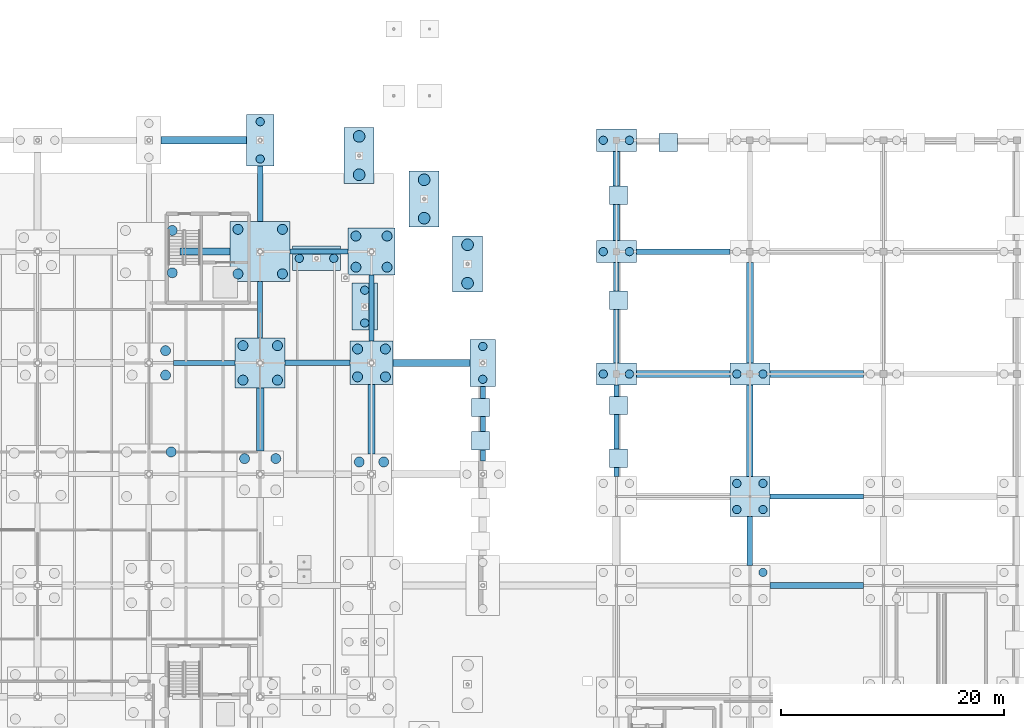
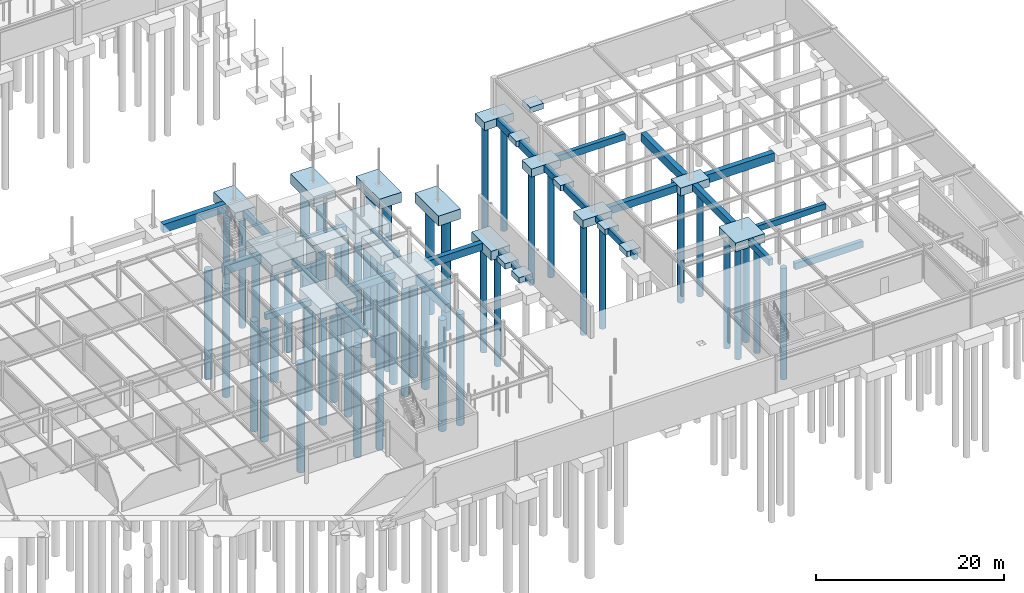
# One storey, part 9 of 75: 52 piles, 46 footings.
"""IFC4 building model written with IfcOpenShell, lengths in metres."""

from ifc_helpers import new_model, si_unit, derived_unit, direction, frame, origin, origin_2d_with_axis, place, context, subcontext, project, spatial, rectangle, circle, extrude, material, layer, layer_set, material_profile, profile_set, type_object, element, save


model = new_model("IFC4")

# Units and contexts
model_context = context("Model", 3, precision=1e-05, world=origin(), true_north=direction((0.0, 1.0)))
body_context = subcontext(model_context, "Body", "Model", "MODEL_VIEW")
ifc_project = project(units=[si_unit("LENGTHUNIT", "METRE"), si_unit("AREAUNIT", "SQUARE_METRE"), si_unit("VOLUMEUNIT", "CUBIC_METRE"), si_unit("PLANEANGLEUNIT", "RADIAN"), si_unit("MASSUNIT", "GRAM", prefix="KILO"), derived_unit("THERMALTRANSMITTANCEUNIT", [(si_unit("POWERUNIT", "WATT"), 1), (si_unit("LENGTHUNIT", "METRE"), -2), (si_unit("THERMODYNAMICTEMPERATUREUNIT", "KELVIN"), -1)])], contexts=[model_context])

# Site, building, storey
site_placement = place(None, origin())
site = spatial("IfcSite", under=ifc_project, at=site_placement, CompositionType="ELEMENT")
building_placement = place(site_placement, origin())
building = spatial("IfcBuilding", under=site, at=building_placement, Name="Cinnabar Yard Market Hall", CompositionType="ELEMENT")
storey_placement = place(building_placement, frame((0.0, 0.0, -4.5)))
storey = spatial("IfcBuildingStorey", under=building, at=storey_placement, Name="B1", CompositionType="ELEMENT", Elevation=-4.5)

# Footings
ifc_material = material(Name="Concrete 40 MPa", Category="concrete")
ifc_material_profile_1 = material_profile(ifc_material, rectangle(XDim=0.449951171875, YDim=0.75, at=origin_2d_with_axis()), Name="GB-450x750")
ifc_profile_set_1 = profile_set([ifc_material_profile_1], Name="Concrete 40 MPa")
footing_type_1 = type_object("IfcFootingType", Name="FT-GB01", PredefinedType="FOOTING_BEAM", material=ifc_profile_set_1)
footing_1_placement = place(storey_placement, frame((191.800048828125, 42.0, -0.824951171875), z_axis=(1.0, 0.0, 0.0), x_axis=(0.0, 1.0, 0.0)))
element("IfcFooting", 1, at=footing_1_placement, inside=storey, type_object=footing_type_1, Name="Ground Beam X 0036", PredefinedType="FOOTING_BEAM", context=body_context, shape_type="SweptSolid", body=[
    extrude(rectangle(XDim=0.449951171875, YDim=0.75, at=origin_2d_with_axis()), origin(), (0.0, 0.0, 1.0), 8.39990234375),
])
footing_2_placement = place(storey_placement, frame((138.199951171875, 54.0, -0.824951171875), z_axis=(1.0, 0.0, 0.0), x_axis=(0.0, 1.0, 0.0)))
element("IfcFooting", 2, at=footing_2_placement, inside=storey, type_object=footing_type_1, Name="Ground Beam X 0064", PredefinedType="FOOTING_BEAM", context=body_context, shape_type="SweptSolid", body=[
    extrude(rectangle(XDim=0.449951171875, YDim=0.75, at=origin_2d_with_axis()), origin(), (0.0, 0.0, 1.0), 5.550048828125),
])
footing_3_placement = place(storey_placement, frame((148.699951171875, 64.0, -0.824951171875), z_axis=(1.0, 0.0, 0.0), x_axis=(0.0, 1.0, 0.0)))
element("IfcFooting", 3, at=footing_3_placement, inside=storey, type_object=footing_type_1, Name="Ground Beam X 0080", PredefinedType="FOOTING_BEAM", context=body_context, shape_type="SweptSolid", body=[
    extrude(rectangle(XDim=0.449951171875, YDim=0.75, at=origin_2d_with_axis()), origin(), (0.0, 0.0, 1.0), 5.199951171875),
])
footing_4_placement = place(storey_placement, frame((146.0, 56.25, -0.824951171875), z_axis=(0.0, 1.0, 0.0), x_axis=(-1.0, 0.0, 0.0)))
element("IfcFooting", 4, at=footing_4_placement, inside=storey, type_object=footing_type_1, Name="Ground Beam Y 0248", PredefinedType="FOOTING_BEAM", context=body_context, shape_type="SweptSolid", body=[
    extrude(rectangle(XDim=0.449951171875, YDim=0.75, at=origin_2d_with_axis()), origin(), (0.0, 0.0, 1.0), 5.050048828125),
])
footing_5_placement = place(storey_placement, frame((156.0, 55.949951171875, -0.824951171875), z_axis=(0.0, 1.0, 0.0), x_axis=(-1.0, 0.0, 0.0)))
element("IfcFooting", 5, at=footing_5_placement, inside=storey, type_object=footing_type_1, Name="Ground Beam Y 0256", PredefinedType="FOOTING_BEAM", context=body_context, shape_type="SweptSolid", body=[
    extrude(rectangle(XDim=0.449951171875, YDim=0.75, at=origin_2d_with_axis()), origin(), (0.0, 0.0, 1.0), 5.949951171875),
])
footing_6_placement = place(storey_placement, frame((166.0, 45.199951171875, -0.824951171875), z_axis=(0.0, 1.0, 0.0), x_axis=(-1.0, 0.0, 0.0)))
element("IfcFooting", 6, at=footing_6_placement, inside=storey, type_object=footing_type_1, Name="Ground Beam Y 0264", PredefinedType="FOOTING_BEAM", context=body_context, shape_type="SweptSolid", body=[
    extrude(rectangle(XDim=0.449951171875, YDim=0.75, at=origin_2d_with_axis()), origin(), (0.0, 0.0, 1.0), 6.699951171875),
])
footing_7_placement = place(storey_placement, frame((178.0, 43.800048828125, -0.824951171875), z_axis=(0.0, 1.0, 0.0), x_axis=(-1.0, 0.0, 0.0)))
element("IfcFooting", 7, at=footing_7_placement, inside=storey, type_object=footing_type_1, Name="Ground Beam Y 0268", PredefinedType="FOOTING_BEAM", context=body_context, shape_type="SweptSolid", body=[
    extrude(rectangle(XDim=0.449951171875, YDim=0.75, at=origin_2d_with_axis()), origin(), (0.0, 0.0, 1.0), 8.199951171875),
])
ifc_material_profile_2 = material_profile(ifc_material, rectangle(XDim=0.5, YDim=0.85009765625, at=origin_2d_with_axis()), Name="GB-500x850")
ifc_profile_set_2 = profile_set([ifc_material_profile_2], Name="Concrete 40 MPa")
footing_type_2 = type_object("IfcFootingType", Name="FT-GB02", PredefinedType="FOOTING_BEAM", material=ifc_profile_set_2)
footing_8_placement = place(storey_placement, frame((191.800048828125, 34.0, -0.875), z_axis=(1.0, 0.0, 0.0), x_axis=(0.0, 1.0, 0.0)))
element("IfcFooting", 8, at=footing_8_placement, inside=storey, type_object=footing_type_2, Name="Ground Beam X 0033", PredefinedType="FOOTING_BEAM", context=body_context, shape_type="SweptSolid", body=[
    extrude(rectangle(XDim=0.5, YDim=0.85009765625, at=origin_2d_with_axis()), origin(), (0.0, 0.0, 1.0), 8.39990234375),
])
footing_9_placement = place(storey_placement, frame((148.25, 54.0, -0.875), z_axis=(1.0, 0.0, 0.0), x_axis=(0.0, 1.0, 0.0)))
element("IfcFooting", 9, at=footing_9_placement, inside=storey, type_object=footing_type_2, Name="Ground Beam X 0065", PredefinedType="FOOTING_BEAM", context=body_context, shape_type="SweptSolid", body=[
    extrude(rectangle(XDim=0.5, YDim=0.85009765625, at=origin_2d_with_axis()), origin(), (0.0, 0.0, 1.0), 5.800048828125),
])
footing_10_placement = place(storey_placement, frame((179.800048828125, 64.0, -0.875), z_axis=(1.0, 0.0, 0.0), x_axis=(0.0, 1.0, 0.0)))
element("IfcFooting", 10, at=footing_10_placement, inside=storey, type_object=footing_type_2, Name="Ground Beam X 0081", PredefinedType="FOOTING_BEAM", context=body_context, shape_type="SweptSolid", body=[
    extrude(rectangle(XDim=0.5, YDim=0.85009765625, at=origin_2d_with_axis()), origin(), (0.0, 0.0, 1.0), 8.39990234375),
])
footing_11_placement = place(storey_placement, frame((146.0, 66.699951171875, -0.875), z_axis=(0.0, 1.0, 0.0), x_axis=(-1.0, 0.0, 0.0)))
element("IfcFooting", 11, at=footing_11_placement, inside=storey, type_object=footing_type_2, Name="Ground Beam Y 0249", PredefinedType="FOOTING_BEAM", context=body_context, shape_type="SweptSolid", body=[
    extrude(rectangle(XDim=0.5, YDim=0.85009765625, at=origin_2d_with_axis()), origin(), (0.0, 0.0, 1.0), 5.0),
])
footing_12_placement = place(storey_placement, frame((178.0, 54.0, -0.875), z_axis=(0.0, 1.0, 0.0), x_axis=(-1.0, 0.0, 0.0)))
element("IfcFooting", 12, at=footing_12_placement, inside=storey, type_object=footing_type_2, Name="Ground Beam Y 0269", PredefinedType="FOOTING_BEAM", context=body_context, shape_type="SweptSolid", body=[
    extrude(rectangle(XDim=0.5, YDim=0.85009765625, at=origin_2d_with_axis()), origin(), (0.0, 0.0, 1.0), 9.0),
])
footing_13_placement = place(storey_placement, frame((190.0, 35.800048828125, -0.875), z_axis=(0.0, 1.0, 0.0), x_axis=(-1.0, 0.0, 0.0)))
element("IfcFooting", 13, at=footing_13_placement, inside=storey, type_object=footing_type_2, Name="Ground Beam Y 0273", PredefinedType="FOOTING_BEAM", context=body_context, shape_type="SweptSolid", body=[
    extrude(rectangle(XDim=0.5, YDim=0.85009765625, at=origin_2d_with_axis()), origin(), (0.0, 0.0, 1.0), 4.39990234375),
])
ifc_material_profile_3 = material_profile(ifc_material, rectangle(XDim=0.60009765625, YDim=0.949951171875, at=origin_2d_with_axis()), Name="GB-600x950")
ifc_profile_set_3 = profile_set([ifc_material_profile_3], Name="Concrete 40 MPa")
footing_type_3 = type_object("IfcFootingType", Name="FT-GB03", PredefinedType="FOOTING_BEAM", material=ifc_profile_set_3)
footing_14_placement = place(storey_placement, frame((179.800048828125, 53.0, -0.925048828125), z_axis=(1.0, 0.0, 0.0), x_axis=(0.0, 1.0, 0.0)))
element("IfcFooting", 14, at=footing_14_placement, inside=storey, type_object=footing_type_3, Name="Ground Beam X 0054", PredefinedType="FOOTING_BEAM", context=body_context, shape_type="SweptSolid", body=[
    extrude(rectangle(XDim=0.60009765625, YDim=0.949951171875, at=origin_2d_with_axis()), origin(), (0.0, 0.0, 1.0), 8.39990234375),
])
footing_15_placement = place(storey_placement, frame((157.949951171875, 54.0, -0.925048828125), z_axis=(1.0, 0.0, 0.0), x_axis=(0.0, 1.0, 0.0)))
element("IfcFooting", 15, at=footing_15_placement, inside=storey, type_object=footing_type_3, Name="Ground Beam X 0066", PredefinedType="FOOTING_BEAM", context=body_context, shape_type="SweptSolid", body=[
    extrude(rectangle(XDim=0.60009765625, YDim=0.949951171875, at=origin_2d_with_axis()), origin(), (0.0, 0.0, 1.0), 6.900146484375),
])
footing_16_placement = place(storey_placement, frame((178.0, 65.0, -0.925048828125), z_axis=(0.0, 1.0, 0.0), x_axis=(-1.0, 0.0, 0.0)))
element("IfcFooting", 16, at=footing_16_placement, inside=storey, type_object=footing_type_3, Name="Ground Beam Y 0270", PredefinedType="FOOTING_BEAM", context=body_context, shape_type="SweptSolid", body=[
    extrude(rectangle(XDim=0.60009765625, YDim=0.949951171875, at=origin_2d_with_axis()), origin(), (0.0, 0.0, 1.0), 8.0),
])
footing_17_placement = place(storey_placement, frame((190.0, 43.800048828125, -0.925048828125), z_axis=(0.0, 1.0, 0.0), x_axis=(-1.0, 0.0, 0.0)))
element("IfcFooting", 17, at=footing_17_placement, inside=storey, type_object=footing_type_3, Name="Ground Beam Y 0274", PredefinedType="FOOTING_BEAM", context=body_context, shape_type="SweptSolid", body=[
    extrude(rectangle(XDim=0.60009765625, YDim=0.949951171875, at=origin_2d_with_axis()), origin(), (0.0, 0.0, 1.0), 8.199951171875),
])
ifc_material_profile_4 = material_profile(ifc_material, rectangle(XDim=0.64990234375, YDim=1.10009765625, at=origin_2d_with_axis()), Name="GB-650x1100")
ifc_profile_set_4 = profile_set([ifc_material_profile_4], Name="Concrete 40 MPa")
footing_type_4 = type_object("IfcFootingType", Name="FT-GB04", PredefinedType="FOOTING_BEAM", material=ifc_profile_set_4)
footing_18_placement = place(storey_placement, frame((191.800048828125, 53.0, -1.0), z_axis=(1.0, 0.0, 0.0), x_axis=(0.0, 1.0, 0.0)))
element("IfcFooting", 18, at=footing_18_placement, inside=storey, type_object=footing_type_4, Name="Ground Beam X 0055", PredefinedType="FOOTING_BEAM", context=body_context, shape_type="SweptSolid", body=[
    extrude(rectangle(XDim=0.64990234375, YDim=1.10009765625, at=origin_2d_with_axis()), origin(), (0.0, 0.0, 1.0), 8.39990234375),
])
footing_19_placement = place(storey_placement, frame((138.800048828125, 64.0, -1.0), z_axis=(1.0, 0.0, 0.0), x_axis=(0.0, 1.0, 0.0)))
element("IfcFooting", 19, at=footing_19_placement, inside=storey, type_object=footing_type_4, Name="Ground Beam X 0079", PredefinedType="FOOTING_BEAM", context=body_context, shape_type="SweptSolid", body=[
    extrude(rectangle(XDim=0.64990234375, YDim=1.10009765625, at=origin_2d_with_axis()), origin(), (0.0, 0.0, 1.0), 4.5),
])
footing_20_placement = place(storey_placement, frame((137.10009765625, 74.0, -1.0), z_axis=(1.0, 0.0, 0.0), x_axis=(0.0, 1.0, 0.0)))
element("IfcFooting", 20, at=footing_20_placement, inside=storey, type_object=footing_type_4, Name="Ground Beam X 0095", PredefinedType="FOOTING_BEAM", context=body_context, shape_type="SweptSolid", body=[
    extrude(rectangle(XDim=0.64990234375, YDim=1.10009765625, at=origin_2d_with_axis()), origin(), (0.0, 0.0, 1.0), 7.64990234375),
])
footing_21_placement = place(storey_placement, frame((146.0, 46.10009765625, -1.0), z_axis=(0.0, 1.0, 0.0), x_axis=(-1.0, 0.0, 0.0)))
element("IfcFooting", 21, at=footing_21_placement, inside=storey, type_object=footing_type_4, Name="Ground Beam Y 0247", PredefinedType="FOOTING_BEAM", context=body_context, shape_type="SweptSolid", body=[
    extrude(rectangle(XDim=0.64990234375, YDim=1.10009765625, at=origin_2d_with_axis()), origin(), (0.0, 0.0, 1.0), 5.64990234375),
])
footing_22_placement = place(storey_placement, frame((156.0, 45.800048828125, -1.0), z_axis=(0.0, 1.0, 0.0), x_axis=(-1.0, 0.0, 0.0)))
element("IfcFooting", 22, at=footing_22_placement, inside=storey, type_object=footing_type_4, Name="Ground Beam Y 0255", PredefinedType="FOOTING_BEAM", context=body_context, shape_type="SweptSolid", body=[
    extrude(rectangle(XDim=0.64990234375, YDim=1.10009765625, at=origin_2d_with_axis()), origin(), (0.0, 0.0, 1.0), 6.25),
])
footing_23_placement = place(storey_placement, frame((190.0, 54.0, -1.0), z_axis=(0.0, 1.0, 0.0), x_axis=(-1.0, 0.0, 0.0)))
element("IfcFooting", 23, at=footing_23_placement, inside=storey, type_object=footing_type_4, Name="Ground Beam Y 0275", PredefinedType="FOOTING_BEAM", context=body_context, shape_type="SweptSolid", body=[
    extrude(rectangle(XDim=0.64990234375, YDim=1.10009765625, at=origin_2d_with_axis()), origin(), (0.0, 0.0, 1.0), 9.0),
])
ifc_layer_1 = layer(ifc_material, 1.050048828125)
ifc_layer_set_1 = layer_set([ifc_layer_1], Name="Concrete 40 MPa")
footing_type_5 = type_object("IfcFootingType", Name="FT-PC02", PredefinedType="PILE_CAP", material=ifc_layer_set_1)
for number, where, z_axis, x_axis, name in (
    (24, (178.0, 53.0, -1.5), (0.0, 0.0, 1.0), (1.0, 0.0, 0.0), "Pile Cap V4Y-01-01"),
    (25, (178.0, 64.0, -1.5), (0.0, 0.0, 1.0), (1.0, 0.0, 0.0), "Pile Cap V4Y-01-02"),
    (26, (178.0, 74.0, -1.5), (0.0, 0.0, 1.0), (1.0, 0.0, 0.0), "Pile Cap V4Y-01-03"),
    (27, (190.0, 53.0, -1.5), (0.0, 0.0, 1.0), (1.0, 0.0, 0.0), "Pile Cap V4Y-02-01"),
):
    element("IfcFooting", number, at=place(storey_placement, frame(where, z_axis=z_axis, x_axis=x_axis)), inside=storey, type_object=footing_type_5, Name=name, PredefinedType="PILE_CAP", context=body_context, shape_type="SweptSolid", body=[
        extrude(rectangle(XDim=3.60009765625, YDim=2.0, at=origin_2d_with_axis()), origin(), (0.0, 0.0, 1.0), 1.050048828125),
    ])
ifc_layer_2 = layer(ifc_material, 1.14990234375)
ifc_layer_set_2 = layer_set([ifc_layer_2], Name="Concrete 40 MPa")
footing_type_6 = type_object("IfcFootingType", Name="FT-PC03", PredefinedType="PILE_CAP", material=ifc_layer_set_2)
footing_24_placement = place(storey_placement, frame((190.0, 42.0, -1.599853515625), z_axis=(0.0, 0.0, 1.0), x_axis=(1.0, 0.0, 0.0)))
element("IfcFooting", 28, at=footing_24_placement, inside=storey, type_object=footing_type_6, Name="Pile Cap V4-02-04", PredefinedType="PILE_CAP", context=body_context, shape_type="SweptSolid", body=[
    extrude(rectangle(XDim=3.60009765625, YDim=3.60009765625, at=origin_2d_with_axis()), origin(), (0.0, 0.0, 1.0), 1.14990234375),
])
ifc_layer_3 = layer(ifc_material, 1.199951171875)
ifc_layer_set_3 = layer_set([ifc_layer_3], Name="Concrete 40 MPa")
footing_type_7 = type_object("IfcFootingType", Name="FT-PC04", PredefinedType="PILE_CAP", material=ifc_layer_set_3)
footing_25_placement = place(storey_placement, frame((156.0, 54.0, -1.64990234375), z_axis=(0.0, 0.0, 1.0), x_axis=(1.0, 0.0, 0.0)))
element("IfcFooting", 29, at=footing_25_placement, inside=storey, type_object=footing_type_7, Name="Pile Cap V1I-09-04", PredefinedType="PILE_CAP", context=body_context, shape_type="SweptSolid", body=[
    extrude(rectangle(XDim=3.89990234375, YDim=3.89990234375, at=origin_2d_with_axis()), origin(), (0.0, 0.0, 1.0), 1.199951171875),
])
ifc_layer_4 = layer(ifc_material, 1.25)
ifc_layer_set_4 = layer_set([ifc_layer_4], Name="Concrete 40 MPa")
footing_type_8 = type_object("IfcFootingType", Name="FT-PC05", PredefinedType="PILE_CAP", material=ifc_layer_set_4)
footing_26_placement = place(storey_placement, frame((156.0, 64.0, -1.699951171875), z_axis=(0.0, 0.0, 1.0), x_axis=(1.0, 0.0, 0.0)))
element("IfcFooting", 30, at=footing_26_placement, inside=storey, type_object=footing_type_8, Name="Pile Cap V1I-09-05", PredefinedType="PILE_CAP", context=body_context, shape_type="SweptSolid", body=[
    extrude(rectangle(XDim=4.199951171875, YDim=4.199951171875, at=origin_2d_with_axis()), origin(), (0.0, 0.0, 1.0), 1.25),
])
ifc_layer_5 = layer(ifc_material, 1.35009765625)
ifc_layer_set_5 = layer_set([ifc_layer_5], Name="Concrete 40 MPa")
footing_type_9 = type_object("IfcFootingType", Name="FT-PC06", PredefinedType="PILE_CAP", material=ifc_layer_set_5)
footing_27_placement = place(storey_placement, frame((146.0, 54.0, -1.800048828125), z_axis=(0.0, 0.0, 1.0), x_axis=(1.0, 0.0, 0.0)))
element("IfcFooting", 31, at=footing_27_placement, inside=storey, type_object=footing_type_9, Name="Pile Cap V1I-08-04", PredefinedType="PILE_CAP", context=body_context, shape_type="SweptSolid", body=[
    extrude(rectangle(XDim=4.5, YDim=4.5, at=origin_2d_with_axis()), origin(), (0.0, 0.0, 1.0), 1.35009765625),
])
ifc_layer_6 = layer(ifc_material, 1.199951171875)
ifc_layer_set_6 = layer_set([ifc_layer_6], Name="Concrete 40 MPa")
footing_type_10 = type_object("IfcFootingType", Name="FT-PC08", PredefinedType="PILE_CAP", material=ifc_layer_set_6)
for number, where, z_axis, x_axis, name in (
    (32, (166.0, 54.0, -1.64990234375), (0.0, 0.0, 1.0), (1.0, 0.0, 0.0), "Pile Cap V1E-03"),
    (33, (155.39111328125, 59.0615234375, -1.64990234375), (0.0, 0.0, 1.0), (1.0, 0.0, 0.0), "Pile Cap V1IC-NE2"),
):
    element("IfcFooting", number, at=place(storey_placement, frame(where, z_axis=z_axis, x_axis=x_axis)), inside=storey, type_object=footing_type_10, Name=name, PredefinedType="PILE_CAP", context=body_context, shape_type="SweptSolid", body=[
        extrude(rectangle(XDim=2.300048828125, YDim=4.199951171875, at=origin_2d_with_axis()), origin(), (0.0, 0.0, 1.0), 1.199951171875),
    ])
ifc_layer_7 = layer(ifc_material, 1.25)
ifc_layer_set_7 = layer_set([ifc_layer_7], Name="Concrete 40 MPa")
footing_type_11 = type_object("IfcFootingType", Name="FT-PC09", PredefinedType="PILE_CAP", material=ifc_layer_set_7)
footing_28_placement = place(storey_placement, frame((146.0, 74.0, -1.699951171875), z_axis=(0.0, 0.0, 1.0), x_axis=(1.0, 0.0, 0.0)))
element("IfcFooting", 34, at=footing_28_placement, inside=storey, type_object=footing_type_11, Name="Pile Cap V1N-07", PredefinedType="PILE_CAP", context=body_context, shape_type="SweptSolid", body=[
    extrude(rectangle(XDim=2.5, YDim=4.60009765625, at=origin_2d_with_axis()), origin(), (0.0, 0.0, 1.0), 1.25),
])
ifc_layer_8 = layer(ifc_material, 1.300048828125)
ifc_layer_set_8 = layer_set([ifc_layer_8], Name="Concrete 40 MPa")
footing_type_12 = type_object("IfcFootingType", Name="FT-PC10", PredefinedType="PILE_CAP", material=ifc_layer_set_8)
for number, where, z_axis, x_axis, name in (
    (35, (164.6298828125, 62.88818359375, -1.75), (0.0, 0.0, 1.0), (1.0, 0.0, 0.0), "Pile Cap V1C-NE2"),
    (36, (160.727783203125, 68.727783203125, -1.75), (0.0, 0.0, 1.0), (1.0, 0.0, 0.0), "Pile Cap V1C-NE4"),
    (37, (154.88818359375, 72.6298828125, -1.75), (0.0, 0.0, 1.0), (1.0, 0.0, 0.0), "Pile Cap V1C-NE6"),
):
    element("IfcFooting", number, at=place(storey_placement, frame(where, z_axis=z_axis, x_axis=x_axis)), inside=storey, type_object=footing_type_12, Name=name, PredefinedType="PILE_CAP", context=body_context, shape_type="SweptSolid", body=[
        extrude(rectangle(XDim=2.699951171875, YDim=5.0, at=origin_2d_with_axis()), origin(), (0.0, 0.0, 1.0), 1.300048828125),
    ])
ifc_layer_9 = layer(ifc_material, 1.449951171875)
ifc_layer_set_9 = layer_set([ifc_layer_9], Name="Concrete 40 MPa")
footing_type_13 = type_object("IfcFootingType", Name="FT-PC12", PredefinedType="PILE_CAP", material=ifc_layer_set_9)
footing_29_placement = place(storey_placement, frame((146.0, 64.0, -1.89990234375), z_axis=(0.0, 0.0, 1.0), x_axis=(1.0, 0.0, 0.0)))
element("IfcFooting", 38, at=footing_29_placement, inside=storey, type_object=footing_type_13, Name="Pile Cap V1I-08-05", PredefinedType="PILE_CAP", context=body_context, shape_type="SweptSolid", body=[
    extrude(rectangle(XDim=5.39990234375, YDim=5.39990234375, at=origin_2d_with_axis()), origin(), (0.0, 0.0, 1.0), 1.449951171875),
])
ifc_layer_10 = layer(ifc_material, 1.10009765625)
ifc_layer_set_10 = layer_set([ifc_layer_10], Name="Concrete 40 MPa")
footing_type_14 = type_object("IfcFootingType", Name="FT-PC13", PredefinedType="PILE_CAP", material=ifc_layer_set_10)
footing_30_placement = place(storey_placement, frame((151.0615234375, 63.39111328125, -1.550048828125), z_axis=(0.0, 0.0, 1.0), x_axis=(1.0, 0.0, 0.0)))
element("IfcFooting", 39, at=footing_30_placement, inside=storey, type_object=footing_type_14, Name="Pile Cap V1IC-NE6", PredefinedType="PILE_CAP", context=body_context, shape_type="SweptSolid", body=[
    extrude(rectangle(XDim=4.35009765625, YDim=2.199951171875, at=origin_2d_with_axis()), origin(), (0.0, 0.0, 1.0), 1.10009765625),
])
ifc_layer_11 = layer(ifc_material, 0.719970703125)
ifc_layer_set_11 = layer_set([ifc_layer_11], Name="Concrete 40 MPa")
footing_type_15 = type_object("IfcFootingType", Name="FT-PF02", PredefinedType="PAD_FOOTING", material=ifc_layer_set_11)
for number, where, z_axis, x_axis, name in (
    (40, (165.800048828125, 47.0, -1.169921875), (0.0, 0.0, 1.0), (1.0, 0.0, 0.0), "Wall Pad B1-RET-V1E-5"),
    (41, (165.800048828125, 50.0, -1.169921875), (0.0, 0.0, 1.0), (1.0, 0.0, 0.0), "Wall Pad B1-RET-V1E-6"),
    (42, (182.64990234375, 73.800048828125, -1.169921875), (0.0, 0.0, 1.0), (1.0, 0.0, 0.0), "Wall Pad B1-RET-V4N-7"),
    (43, (178.199951171875, 69.074951171875, -1.169921875), (0.0, 0.0, 1.0), (1.0, 0.0, 0.0), "Wall Pad B1-RET-V4W-1"),
    (44, (178.199951171875, 59.625, -1.169921875), (0.0, 0.0, 1.0), (1.0, 0.0, 0.0), "Wall Pad B1-RET-V4W-3"),
    (45, (178.199951171875, 50.175048828125, -1.169921875), (0.0, 0.0, 1.0), (1.0, 0.0, 0.0), "Wall Pad B1-RET-V4W-5"),
    (46, (178.199951171875, 45.449951171875, -1.169921875), (0.0, 0.0, 1.0), (1.0, 0.0, 0.0), "Wall Pad B1-RET-V4W-6"),
):
    element("IfcFooting", number, at=place(storey_placement, frame(where, z_axis=z_axis, x_axis=x_axis)), inside=storey, type_object=footing_type_15, Name=name, PredefinedType="PAD_FOOTING", context=body_context, shape_type="SweptSolid", body=[
        extrude(rectangle(XDim=1.64990234375, YDim=1.64990234375, at=origin_2d_with_axis()), origin(), (0.0, 0.0, 1.0), 0.719970703125),
    ])

# Piles
ifc_material_profile_5 = material_profile(ifc_material, circle(Radius=0.52490234375, at=origin_2d_with_axis()), Name="PILE-D1050")
ifc_profile_set_5 = profile_set([ifc_material_profile_5], Name="Concrete 40 MPa")
pile_type_1 = type_object("IfcPileType", Name="PILE-PL1050", PredefinedType="BORED", material=ifc_profile_set_5)
for number, where, z_axis, x_axis, name in (
    (47, (164.6298828125, 61.163330078125, -1.64990234375), (0.0, 0.0, -1.0), (1.0, 0.0, 0.0), "Bored Pile 0241"),
    (48, (164.6298828125, 64.61328125, -1.64990234375), (0.0, 0.0, -1.0), (1.0, 0.0, 0.0), "Bored Pile 0242"),
    (49, (160.727783203125, 67.0029296875, -1.64990234375), (0.0, 0.0, -1.0), (1.0, 0.0, 0.0), "Bored Pile 0245"),
    (50, (160.727783203125, 70.452880859375, -1.64990234375), (0.0, 0.0, -1.0), (1.0, 0.0, 0.0), "Bored Pile 0246"),
    (51, (154.88818359375, 70.90478515625, -1.64990234375), (0.0, 0.0, -1.0), (1.0, 0.0, 0.0), "Bored Pile 0247"),
    (52, (154.88818359375, 74.354736328125, -1.64990234375), (0.0, 0.0, -1.0), (1.0, 0.0, 0.0), "Bored Pile 0248"),
):
    element("IfcPile", number, at=place(storey_placement, frame(where, z_axis=z_axis, x_axis=x_axis)), inside=storey, type_object=pile_type_1, Name=name, PredefinedType="BORED", context=body_context, shape_type="SweptSolid", body=[
        extrude(circle(Radius=0.52490234375, at=origin_2d_with_axis()), origin(), (0.0, 0.0, 1.0), 14.35009765625),
    ])
ifc_material_profile_6 = material_profile(ifc_material, circle(Radius=0.375, at=origin_2d_with_axis()), Name="PILE-D750")
ifc_profile_set_6 = profile_set([ifc_material_profile_6], Name="Concrete 40 MPa")
pile_type_2 = type_object("IfcPileType", Name="PILE-PL750", PredefinedType="BORED", material=ifc_profile_set_6)
for number, where, z_axis, x_axis, name in (
    (53, (146.0, 72.324951171875, -1.60009765625), (0.0, 0.0, -1.0), (1.0, 0.0, 0.0), "Bored Pile 0207"),
    (54, (146.0, 75.675048828125, -1.60009765625), (0.0, 0.0, -1.0), (1.0, 0.0, 0.0), "Bored Pile 0208"),
):
    element("IfcPile", number, at=place(storey_placement, frame(where, z_axis=z_axis, x_axis=x_axis)), inside=storey, type_object=pile_type_2, Name=name, PredefinedType="BORED", context=body_context, shape_type="SweptSolid", body=[
        extrude(circle(Radius=0.375, at=origin_2d_with_axis()), origin(), (0.0, 0.0, 1.0), 14.39990234375),
    ])
for number, where, z_axis, x_axis, name in (
    (55, (166.0, 52.52490234375, -1.550048828125), (0.0, 0.0, -1.0), (1.0, 0.0, 0.0), "Bored Pile 0219"),
    (56, (166.0, 55.47509765625, -1.550048828125), (0.0, 0.0, -1.0), (1.0, 0.0, 0.0), "Bored Pile 0220"),
    (57, (155.39111328125, 57.58642578125, -1.550048828125), (0.0, 0.0, -1.0), (1.0, 0.0, 0.0), "Bored Pile 0243"),
    (58, (155.39111328125, 60.53662109375, -1.550048828125), (0.0, 0.0, -1.0), (1.0, 0.0, 0.0), "Bored Pile 0244"),
):
    element("IfcPile", number, at=place(storey_placement, frame(where, z_axis=z_axis, x_axis=x_axis)), inside=storey, type_object=pile_type_2, Name=name, PredefinedType="BORED", context=body_context, shape_type="SweptSolid", body=[
        extrude(circle(Radius=0.375, at=origin_2d_with_axis()), origin(), (0.0, 0.0, 1.0), 14.449951171875),
    ])
for number, where, z_axis, x_axis, name in (
    (59, (149.511474609375, 63.39111328125, -1.449951171875), (0.0, 0.0, -1.0), (1.0, 0.0, 0.0), "Bored Pile 0249"),
    (60, (152.611572265625, 63.39111328125, -1.449951171875), (0.0, 0.0, -1.0), (1.0, 0.0, 0.0), "Bored Pile 0250"),
):
    element("IfcPile", number, at=place(storey_placement, frame(where, z_axis=z_axis, x_axis=x_axis)), inside=storey, type_object=pile_type_2, Name=name, PredefinedType="BORED", context=body_context, shape_type="SweptSolid", body=[
        extrude(circle(Radius=0.375, at=origin_2d_with_axis()), origin(), (0.0, 0.0, 1.0), 14.550048828125),
    ])
for number, where, z_axis, x_axis, name in (
    (61, (191.175048828125, 35.175048828125, -1.5), (0.0, 0.0, -1.0), (1.0, 0.0, 0.0), "Bored Pile 0532"),
    (62, (188.824951171875, 40.824951171875, -1.5), (0.0, 0.0, -1.0), (1.0, 0.0, 0.0), "Bored Pile 0533"),
    (63, (191.175048828125, 40.824951171875, -1.5), (0.0, 0.0, -1.0), (1.0, 0.0, 0.0), "Bored Pile 0534"),
    (64, (188.824951171875, 43.175048828125, -1.5), (0.0, 0.0, -1.0), (1.0, 0.0, 0.0), "Bored Pile 0535"),
    (65, (191.175048828125, 43.175048828125, -1.5), (0.0, 0.0, -1.0), (1.0, 0.0, 0.0), "Bored Pile 0536"),
):
    element("IfcPile", number, at=place(storey_placement, frame(where, z_axis=z_axis, x_axis=x_axis)), inside=storey, type_object=pile_type_2, Name=name, PredefinedType="BORED", context=body_context, shape_type="SweptSolid", body=[
        extrude(circle(Radius=0.375, at=origin_2d_with_axis()), origin(), (0.0, 0.0, 1.0), 14.5),
    ])
for number, where, z_axis, x_axis, name in (
    (66, (176.824951171875, 53.0, -1.39990234375), (0.0, 0.0, -1.0), (1.0, 0.0, 0.0), "Bored Pile 0569"),
    (67, (179.175048828125, 53.0, -1.39990234375), (0.0, 0.0, -1.0), (1.0, 0.0, 0.0), "Bored Pile 0570"),
    (68, (176.824951171875, 64.0, -1.39990234375), (0.0, 0.0, -1.0), (1.0, 0.0, 0.0), "Bored Pile 0571"),
    (69, (179.175048828125, 64.0, -1.39990234375), (0.0, 0.0, -1.0), (1.0, 0.0, 0.0), "Bored Pile 0572"),
    (70, (176.824951171875, 74.0, -1.39990234375), (0.0, 0.0, -1.0), (1.0, 0.0, 0.0), "Bored Pile 0573"),
    (71, (179.175048828125, 74.0, -1.39990234375), (0.0, 0.0, -1.0), (1.0, 0.0, 0.0), "Bored Pile 0574"),
    (72, (188.824951171875, 53.0, -1.39990234375), (0.0, 0.0, -1.0), (1.0, 0.0, 0.0), "Bored Pile 0575"),
    (73, (191.175048828125, 53.0, -1.39990234375), (0.0, 0.0, -1.0), (1.0, 0.0, 0.0), "Bored Pile 0576"),
):
    element("IfcPile", number, at=place(storey_placement, frame(where, z_axis=z_axis, x_axis=x_axis)), inside=storey, type_object=pile_type_2, Name=name, PredefinedType="BORED", context=body_context, shape_type="SweptSolid", body=[
        extrude(circle(Radius=0.375, at=origin_2d_with_axis()), origin(), (0.0, 0.0, 1.0), 14.60009765625),
    ])
ifc_material_profile_7 = material_profile(ifc_material, circle(Radius=0.449951171875, at=origin_2d_with_axis()), Name="PILE-D900")
ifc_profile_set_7 = profile_set([ifc_material_profile_7], Name="Concrete 40 MPa")
pile_type_3 = type_object("IfcPileType", Name="PILE-PL900", PredefinedType="BORED", material=ifc_profile_set_7)
pile_placement = place(storey_placement, frame((138.0, 46.0, -1.800048828125), z_axis=(0.0, 0.0, -1.0), x_axis=(1.0, 0.0, 0.0)))
element("IfcPile", 74, at=pile_placement, inside=storey, type_object=pile_type_3, Name="Bored Pile 0132", PredefinedType="BORED", context=body_context, shape_type="SweptSolid", body=[
    extrude(circle(Radius=0.449951171875, at=origin_2d_with_axis()), origin(), (0.0, 0.0, 1.0), 14.199951171875),
])
for number, where, z_axis, x_axis, name in (
    (75, (137.5, 52.89990234375, -1.64990234375), (0.0, 0.0, -1.0), (1.0, 0.0, 0.0), "Bored Pile 0134"),
    (76, (137.5, 55.10009765625, -1.64990234375), (0.0, 0.0, -1.0), (1.0, 0.0, 0.0), "Bored Pile 0136"),
):
    element("IfcPile", number, at=place(storey_placement, frame(where, z_axis=z_axis, x_axis=x_axis)), inside=storey, type_object=pile_type_3, Name=name, PredefinedType="BORED", context=body_context, shape_type="SweptSolid", body=[
        extrude(circle(Radius=0.449951171875, at=origin_2d_with_axis()), origin(), (0.0, 0.0, 1.0), 14.35009765625),
    ])
for number, where, z_axis, x_axis, name in (
    (77, (138.10009765625, 62.10009765625, -1.75), (0.0, 0.0, -1.0), (1.0, 0.0, 0.0), "Bored Pile 0138"),
    (78, (138.10009765625, 65.89990234375, -1.75), (0.0, 0.0, -1.0), (1.0, 0.0, 0.0), "Bored Pile 0140"),
):
    element("IfcPile", number, at=place(storey_placement, frame(where, z_axis=z_axis, x_axis=x_axis)), inside=storey, type_object=pile_type_3, Name=name, PredefinedType="BORED", context=body_context, shape_type="SweptSolid", body=[
        extrude(circle(Radius=0.449951171875, at=origin_2d_with_axis()), origin(), (0.0, 0.0, 1.0), 14.25),
    ])
for number, where, z_axis, x_axis, name in (
    (79, (144.60009765625, 45.39990234375, -1.60009765625), (0.0, 0.0, -1.0), (1.0, 0.0, 0.0), "Bored Pile 0151"),
    (80, (147.39990234375, 45.39990234375, -1.60009765625), (0.0, 0.0, -1.0), (1.0, 0.0, 0.0), "Bored Pile 0152"),
):
    element("IfcPile", number, at=place(storey_placement, frame(where, z_axis=z_axis, x_axis=x_axis)), inside=storey, type_object=pile_type_3, Name=name, PredefinedType="BORED", context=body_context, shape_type="SweptSolid", body=[
        extrude(circle(Radius=0.449951171875, at=origin_2d_with_axis()), origin(), (0.0, 0.0, 1.0), 14.39990234375),
    ])
for number, where, z_axis, x_axis, name in (
    (81, (144.449951171875, 52.449951171875, -1.699951171875), (0.0, 0.0, -1.0), (1.0, 0.0, 0.0), "Bored Pile 0153"),
    (82, (147.550048828125, 52.449951171875, -1.699951171875), (0.0, 0.0, -1.0), (1.0, 0.0, 0.0), "Bored Pile 0154"),
    (83, (144.449951171875, 55.550048828125, -1.699951171875), (0.0, 0.0, -1.0), (1.0, 0.0, 0.0), "Bored Pile 0155"),
    (84, (147.550048828125, 55.550048828125, -1.699951171875), (0.0, 0.0, -1.0), (1.0, 0.0, 0.0), "Bored Pile 0156"),
):
    element("IfcPile", number, at=place(storey_placement, frame(where, z_axis=z_axis, x_axis=x_axis)), inside=storey, type_object=pile_type_3, Name=name, PredefinedType="BORED", context=body_context, shape_type="SweptSolid", body=[
        extrude(circle(Radius=0.449951171875, at=origin_2d_with_axis()), origin(), (0.0, 0.0, 1.0), 14.300048828125),
    ])
for number, where, z_axis, x_axis, name in (
    (85, (144.0, 62.0, -1.800048828125), (0.0, 0.0, -1.0), (1.0, 0.0, 0.0), "Bored Pile 0157"),
    (86, (148.0, 62.0, -1.800048828125), (0.0, 0.0, -1.0), (1.0, 0.0, 0.0), "Bored Pile 0158"),
    (87, (144.0, 66.0, -1.800048828125), (0.0, 0.0, -1.0), (1.0, 0.0, 0.0), "Bored Pile 0159"),
    (88, (148.0, 66.0, -1.800048828125), (0.0, 0.0, -1.0), (1.0, 0.0, 0.0), "Bored Pile 0160"),
):
    element("IfcPile", number, at=place(storey_placement, frame(where, z_axis=z_axis, x_axis=x_axis)), inside=storey, type_object=pile_type_3, Name=name, PredefinedType="BORED", context=body_context, shape_type="SweptSolid", body=[
        extrude(circle(Radius=0.449951171875, at=origin_2d_with_axis()), origin(), (0.0, 0.0, 1.0), 14.199951171875),
    ])
for number, where, z_axis, x_axis, name in (
    (89, (154.89990234375, 45.10009765625, -1.5), (0.0, 0.0, -1.0), (1.0, 0.0, 0.0), "Bored Pile 0171"),
    (90, (157.10009765625, 45.10009765625, -1.5), (0.0, 0.0, -1.0), (1.0, 0.0, 0.0), "Bored Pile 0172"),
):
    element("IfcPile", number, at=place(storey_placement, frame(where, z_axis=z_axis, x_axis=x_axis)), inside=storey, type_object=pile_type_3, Name=name, PredefinedType="BORED", context=body_context, shape_type="SweptSolid", body=[
        extrude(circle(Radius=0.449951171875, at=origin_2d_with_axis()), origin(), (0.0, 0.0, 1.0), 14.5),
    ])
for number, where, z_axis, x_axis, name in (
    (91, (154.75, 52.75, -1.550048828125), (0.0, 0.0, -1.0), (1.0, 0.0, 0.0), "Bored Pile 0173"),
    (92, (157.25, 52.75, -1.550048828125), (0.0, 0.0, -1.0), (1.0, 0.0, 0.0), "Bored Pile 0174"),
    (93, (154.75, 55.25, -1.550048828125), (0.0, 0.0, -1.0), (1.0, 0.0, 0.0), "Bored Pile 0175"),
    (94, (157.25, 55.25, -1.550048828125), (0.0, 0.0, -1.0), (1.0, 0.0, 0.0), "Bored Pile 0176"),
):
    element("IfcPile", number, at=place(storey_placement, frame(where, z_axis=z_axis, x_axis=x_axis)), inside=storey, type_object=pile_type_3, Name=name, PredefinedType="BORED", context=body_context, shape_type="SweptSolid", body=[
        extrude(circle(Radius=0.449951171875, at=origin_2d_with_axis()), origin(), (0.0, 0.0, 1.0), 14.449951171875),
    ])
for number, where, z_axis, x_axis, name in (
    (95, (154.60009765625, 62.60009765625, -1.60009765625), (0.0, 0.0, -1.0), (1.0, 0.0, 0.0), "Bored Pile 0177"),
    (96, (157.39990234375, 62.60009765625, -1.60009765625), (0.0, 0.0, -1.0), (1.0, 0.0, 0.0), "Bored Pile 0178"),
    (97, (154.60009765625, 65.39990234375, -1.60009765625), (0.0, 0.0, -1.0), (1.0, 0.0, 0.0), "Bored Pile 0179"),
    (98, (157.39990234375, 65.39990234375, -1.60009765625), (0.0, 0.0, -1.0), (1.0, 0.0, 0.0), "Bored Pile 0180"),
):
    element("IfcPile", number, at=place(storey_placement, frame(where, z_axis=z_axis, x_axis=x_axis)), inside=storey, type_object=pile_type_3, Name=name, PredefinedType="BORED", context=body_context, shape_type="SweptSolid", body=[
        extrude(circle(Radius=0.449951171875, at=origin_2d_with_axis()), origin(), (0.0, 0.0, 1.0), 14.39990234375),
    ])

save(model, "model.ifc")
